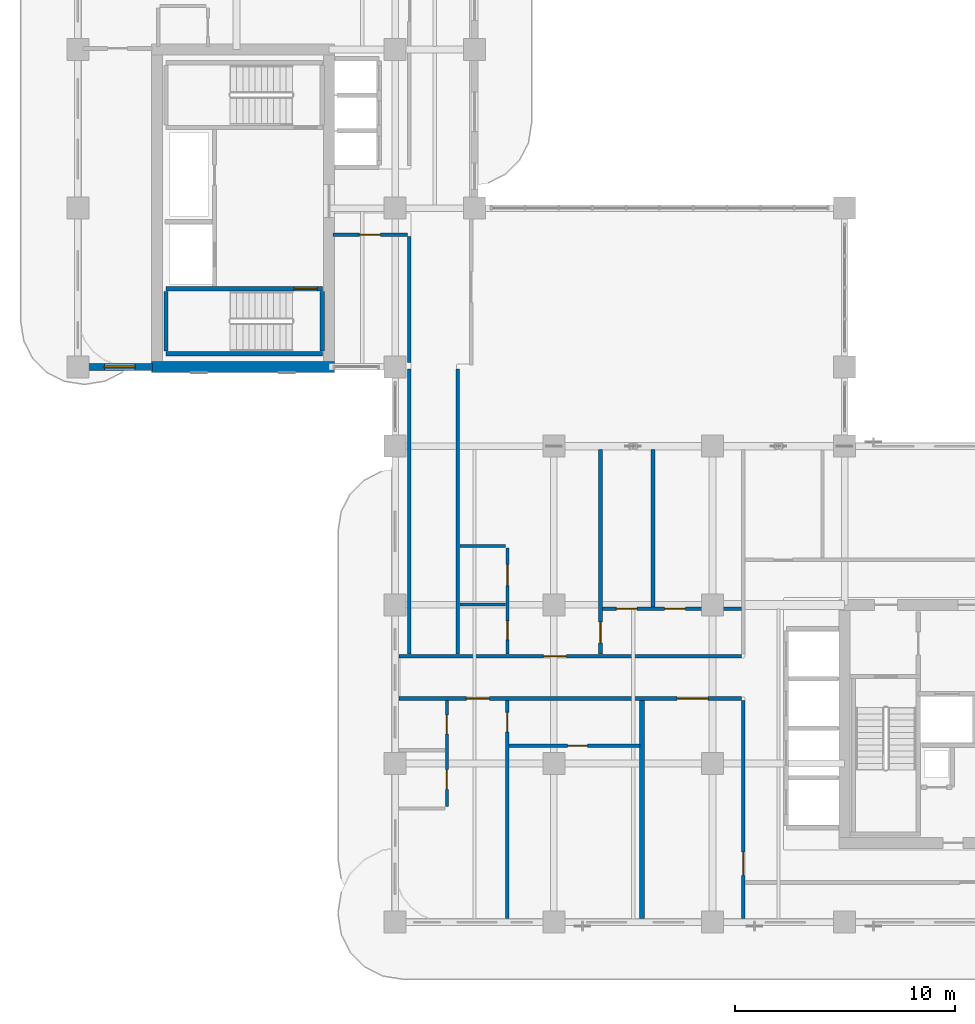
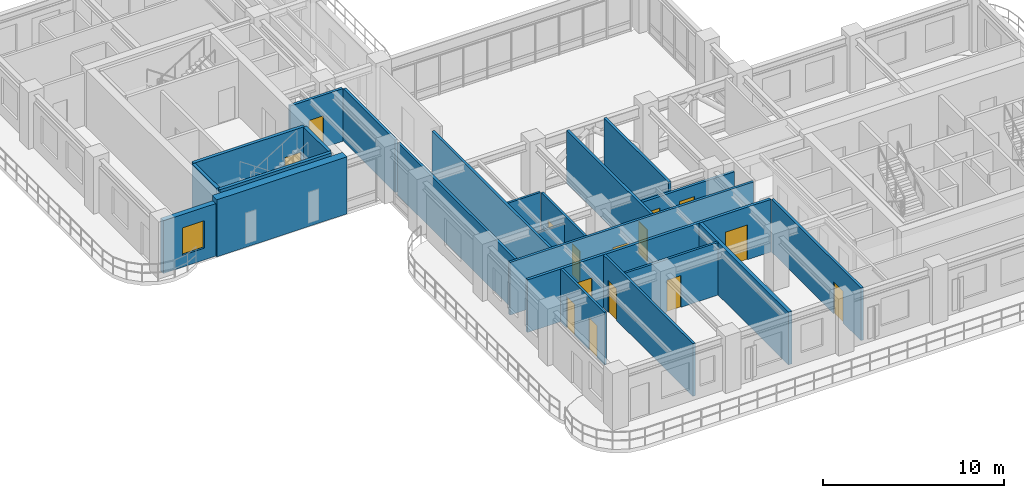
# One storey, part 9 of 17: 23 walls, 15 doors, 1 window, 16 openings.
"""IFC4 building model written with IfcOpenShell, lengths in metres."""

from ifc_helpers import new_model, si_unit, derived_unit, direction, frame, frame_2d, origin, place, context, subcontext, project, spatial, rectangle, extrude, source, transform, mapped, material, layer, layer_set, type_object, type_shapes, element, fill, save


model = new_model("IFC4")

# Units and contexts
model_context = context("Model", 3, precision=1e-05, world=origin(), true_north=direction((0.0, 1.0)))
body_context = subcontext(model_context, "Body", "Model", "MODEL_VIEW")
ifc_project = project(units=[si_unit("LENGTHUNIT", "METRE"), si_unit("AREAUNIT", "SQUARE_METRE"), si_unit("VOLUMEUNIT", "CUBIC_METRE"), si_unit("PLANEANGLEUNIT", "RADIAN"), si_unit("MASSUNIT", "GRAM", prefix="KILO"), si_unit("THERMODYNAMICTEMPERATUREUNIT", "KELVIN"), si_unit("POWERUNIT", "WATT"), derived_unit("THERMALTRANSMITTANCEUNIT", [(si_unit("POWERUNIT", "WATT"), 1), (si_unit("AREAUNIT", "SQUARE_METRE"), -1), (si_unit("THERMODYNAMICTEMPERATUREUNIT", "KELVIN"), -1)])], contexts=[model_context])

# Site, building, storey
site_placement = place(None, origin())
site = spatial("IfcSite", under=ifc_project, at=site_placement, CompositionType="ELEMENT")
building_placement = place(site_placement, origin())
building = spatial("IfcBuilding", under=site, at=building_placement, Name="Zahravan Archway Hotel and Residences", CompositionType="ELEMENT")
storey_placement = place(building_placement, frame((0.0, 0.0, 192.64990234375)))
storey = spatial("IfcBuildingStorey", under=building, at=storey_placement, Name="L48", CompositionType="ELEMENT", Elevation=192.64990234375)

# Wall
ifc_material_1 = material(Name="Concrete C60/75", Category="concrete")
ifc_layer_1 = layer(ifc_material_1, 0.5, Name="Concrete C60/75", Category="concrete")
ifc_layer_set_1 = layer_set([ifc_layer_1], Name="Concrete C60/75")
wall_type_1 = type_object("IfcWallType", Name="CW-CORE-500", PredefinedType="SHEAR", material=ifc_layer_set_1)
wall_1_placement = place(storey_placement, frame((3.35009765625, 25.199951171875, 0.0), z_axis=(0.0, 0.0, 1.0), x_axis=(1.0, 0.0, 0.0)))
element("IfcWall", 1, at=wall_1_placement, inside=storey, type_object=wall_type_1, Name="L48 Core B Shear S Wall 500 mm", PredefinedType="SHEAR", context=body_context, shape_type="SweptSolid", body=[
    extrude(rectangle(XDim=8.2998046875, YDim=0.5, at=frame_2d((4.14990234375, 0.0))), origin(), (0.0, 0.0, 1.0), 3.85009765625),
])

# Wall, opening, window
ifc_material_2 = material(Name="Agra Buff Sandstone & Insulated Backup", Category="masonry")
ifc_layer_2 = layer(ifc_material_2, 0.320068359375, Name="Agra Buff Sandstone & Insulated Backup", Category="masonry")
ifc_layer_set_2 = layer_set([ifc_layer_2], Name="Agra Buff Sandstone & Insulated Backup")
wall_type_2 = type_object("IfcWallType", Name="EW-SAND-320", PredefinedType="SOLIDWALL", material=ifc_layer_set_2)
wall_2_placement = place(storey_placement, frame((0.0, 25.199951171875, 0.0), z_axis=(0.0, 0.0, 1.0), x_axis=(1.0, 0.0, 0.0)))
wall_2 = element("IfcWall", 2, at=wall_2_placement, inside=storey, type_object=wall_type_2, Name="L48 Exterior Sandstone Wall WB-SW", PredefinedType="SOLIDWALL", context=body_context, shape_type="SweptSolid", body=[
    extrude(rectangle(XDim=3.3798828125, YDim=0.320068359375, at=frame_2d((1.68994140625, 0.0))), origin(), (0.0, 0.0, 1.0), 3.550048828125),
])
opening_1_placement = place(wall_2_placement, frame((1.205078125, 0.0, 0.800048828125)))
opening_1 = element("IfcOpeningElement", 3, at=opening_1_placement, cuts=wall_2, Name="Opening W-03", PredefinedType="OPENING", context=body_context, shape_type="SweptSolid", body=[
    extrude(rectangle(XDim=1.39990234375, YDim=1.85009765625, at=frame_2d((0.699951171875, 0.925048828125))), frame((0.0, 0.169921875, 0.0), z_axis=(0.0, -1.0, 0.0), x_axis=(1.0, 0.0, 0.0)), (0.0, 0.0, 1.0), 0.340087890625),
])
ifc_material_3 = material(Name="Bronze-Anodized Thermal-Break Aluminium & Low-E Glass", Category="aluminium")
window_type = type_object("IfcWindowType", Name="WIN-TWR-1400", PartitioningType="SINGLE_PANEL", PredefinedType="WINDOW", material=ifc_material_3)
shared_shape_1 = source(origin(), body_context, "Body", "SweptSolid", [
    extrude(rectangle(XDim=1.39990234375, YDim=1.85009765625, at=frame_2d((0.699951171875, 0.925048828125))), frame((0.0, 0.030029296875, 0.0), z_axis=(0.0, -1.0, 0.0), x_axis=(1.0, 0.0, 0.0)), (0.0, 0.0, 1.0), 0.06005859375),
])
type_shapes(window_type, [shared_shape_1])
window_placement = place(opening_1_placement, origin())
window = element("IfcWindow", 4, at=window_placement, inside=storey, type_object=window_type, Name="L48 Loggia Window 20", OverallHeight=1.85009765625, OverallWidth=1.39990234375, PartitioningType="SINGLE_PANEL", PredefinedType="WINDOW", context=body_context, shape_type="MappedRepresentation", body=[
    mapped(shared_shape_1, transform((0.0, 0.0, 0.0), scale=1.0)),
])
fill(opening_1, window)

# Wall
ifc_material_4 = material(Name="Fire-Rated Gypsum & Concrete Block", Category="concrete")
ifc_layer_3 = layer(ifc_material_4, 0.219970703125, Name="Fire-Rated Gypsum & Concrete Block", Category="concrete")
ifc_layer_set_3 = layer_set([ifc_layer_3], Name="Fire-Rated Gypsum & Concrete Block")
wall_type_3 = type_object("IfcWallType", Name="PW-COMP-220", PredefinedType="PARTITIONING", material=ifc_layer_set_3)
wall_3_placement = place(storey_placement, frame((25.60009765625, 0.16796875, 0.0), z_axis=(0.0, 0.0, 1.0), x_axis=(0.0, 1.0, 0.0)))
element("IfcWall", 5, at=wall_3_placement, inside=storey, type_object=wall_type_3, Name="L48 Partition WAS-R3", PredefinedType="PARTITIONING", context=body_context, shape_type="SweptSolid", body=[
    extrude(rectangle(XDim=9.89208984375, YDim=0.219970703125, at=frame_2d((4.946044921875, 0.0))), origin(), (0.0, 0.0, 1.0), 3.550048828125),
])

# Wall, opening, door
ifc_layer_4 = layer(ifc_material_4, 0.159912109375, Name="Fire-Rated Gypsum & Concrete Block", Category="concrete")
ifc_layer_set_4 = layer_set([ifc_layer_4], Name="Fire-Rated Gypsum & Concrete Block")
wall_type_4 = type_object("IfcWallType", Name="PW-CORR-160", PredefinedType="PARTITIONING", material=ifc_layer_set_4)
wall_4_placement = place(storey_placement, frame((14.568115234375, 12.070068359375, 0.0), z_axis=(0.0, 0.0, 1.0), x_axis=(1.0, 0.0, 0.0)))
wall_4 = element("IfcWall", 6, at=wall_4_placement, inside=storey, type_object=wall_type_4, Name="L48 Partition WA-CN", PredefinedType="PARTITIONING", context=body_context, shape_type="SweptSolid", body=[
    extrude(rectangle(XDim=15.5419921875, YDim=0.159912109375, at=frame_2d((7.77099609375, 0.0))), origin(), (0.0, 0.0, 1.0), 3.550048828125),
])
opening_2_placement = place(wall_4_placement, frame((6.556884765625, 0.0, 0.0)))
opening_2 = element("IfcOpeningElement", 7, at=opening_2_placement, cuts=wall_4, Name="Opening D-U1", PredefinedType="OPENING", context=body_context, shape_type="SweptSolid", body=[
    extrude(rectangle(XDim=1.050048828125, YDim=2.25, at=frame_2d((0.52490234375, 1.125))), frame((0.0, 0.08984375, 0.0), z_axis=(0.0, -1.0, 0.0), x_axis=(1.0, 0.0, 0.0)), (0.0, 0.0, 1.0), 0.179931640625),
])
ifc_material_5 = material(Name="Hardwood Veneer Timber", Category="wood")
door_type_1 = type_object("IfcDoorType", Name="ID-UNIT-1050", OperationType="NOTDEFINED", PredefinedType="DOOR", material=ifc_material_5)
shared_shape_2 = source(origin(), body_context, "Body", "SweptSolid", [
    extrude(rectangle(XDim=1.050048828125, YDim=2.25, at=frame_2d((0.52490234375, 1.125))), frame((0.0, 0.02490234375, 0.0), z_axis=(0.0, -1.0, 0.0), x_axis=(1.0, 0.0, 0.0)), (0.0, 0.0, 1.0), 0.050048828125),
])
type_shapes(door_type_1, [shared_shape_2])
door_1_placement = place(opening_2_placement, origin())
door_1 = element("IfcDoor", 8, at=door_1_placement, inside=storey, type_object=door_type_1, Name="L48 Flat HN1 Entrance Door", OperationType="SINGLE_SWING_RIGHT", OverallHeight=2.25, OverallWidth=1.050048828125, PredefinedType="DOOR", context=body_context, shape_type="MappedRepresentation", body=[
    mapped(shared_shape_2, transform((0.0, 0.0, 0.0), scale=1.0)),
])
fill(opening_2, door_1)

wall_5_placement = place(storey_placement, frame((30.199951171875, 0.16796875, 0.0), z_axis=(0.0, 0.0, 1.0), x_axis=(0.0, 1.0, 0.0)))
wall_5 = element("IfcWall", 9, at=wall_5_placement, inside=storey, type_object=wall_type_4, Name="L48 Partition WA-SRW", PredefinedType="PARTITIONING", context=body_context, shape_type="SweptSolid", body=[
    extrude(rectangle(XDim=9.89208984375, YDim=0.159912109375, at=frame_2d((4.946044921875, 0.0))), origin(), (0.0, 0.0, 1.0), 3.550048828125),
])
opening_3_placement = place(wall_5_placement, frame((1.95703125, 0.0, 0.0)))
opening_3 = element("IfcOpeningElement", 10, at=opening_3_placement, cuts=wall_5, Name="Opening FD-L2", PredefinedType="OPENING", context=body_context, shape_type="SweptSolid", body=[
    extrude(rectangle(XDim=1.050048828125, YDim=2.14990234375, at=frame_2d((0.52490234375, 1.074951171875))), frame((0.0, 0.08984375, 0.0), z_axis=(0.0, -1.0, 0.0), x_axis=(1.0, 0.0, 0.0)), (0.0, 0.0, 1.0), 0.179931640625),
])
ifc_material_6 = material(Name="Fire-Rated Painted Steel", Category="steel")
door_type_2 = type_object("IfcDoorType", Name="FD-LOBBY-1100", OperationType="NOTDEFINED", PredefinedType="DOOR", material=ifc_material_6)
shared_shape_3 = source(origin(), body_context, "Body", "SweptSolid", [
    extrude(rectangle(XDim=1.050048828125, YDim=2.14990234375, at=frame_2d((0.52490234375, 1.074951171875))), frame((0.0, 0.02490234375, 0.0), z_axis=(0.0, -1.0, 0.0), x_axis=(1.0, 0.0, 0.0)), (0.0, 0.0, 1.0), 0.050048828125),
])
type_shapes(door_type_2, [shared_shape_3])
door_2_placement = place(opening_3_placement, origin())
door_2 = element("IfcDoor", 11, at=door_2_placement, inside=storey, type_object=door_type_2, Name="L48 South Riser Corridor Door", OperationType="SINGLE_SWING_RIGHT", OverallHeight=2.14990234375, OverallWidth=1.050048828125, PredefinedType="DOOR", context=body_context, shape_type="MappedRepresentation", body=[
    mapped(shared_shape_3, transform((0.0, 0.0, 0.0), scale=1.0)),
])
fill(opening_3, door_2)

# Walls
for number, where, z_axis, x_axis, name in (
    (12, (15.050048828125, 12.159912109375, 0.0), (0.0, 0.0, 1.0), (0.0, 1.0, 0.0), "L48 Partition LNK-W"),
    (13, (17.25, 12.159912109375, 0.0), (0.0, 0.0, 1.0), (0.0, 1.0, 0.0), "L48 Partition LNK-E"),
):
    element("IfcWall", number, at=place(storey_placement, frame(where, z_axis=z_axis, x_axis=x_axis)), inside=storey, type_object=wall_type_4, Name=name, PredefinedType="PARTITIONING", context=body_context, shape_type="SweptSolid", body=[
        extrude(rectangle(XDim=12.9501953125, YDim=0.159912109375, at=frame_2d((6.47509765625, 0.0))), origin(), (0.0, 0.0, 1.0), 3.550048828125),
    ])
wall_6_placement = place(storey_placement, frame((15.050048828125, 25.389892578125, 0.0), z_axis=(0.0, 0.0, 1.0), x_axis=(0.0, 1.0, 0.0)))
element("IfcWall", 14, at=wall_6_placement, inside=storey, type_object=wall_type_4, Name="L48 Partition FB1-E", PredefinedType="PARTITIONING", context=body_context, shape_type="SweptSolid", body=[
    extrude(rectangle(XDim=5.72021484375, YDim=0.159912109375, at=frame_2d((2.860107421875, 0.0))), origin(), (0.0, 0.0, 1.0), 3.550048828125),
])

# Wall, openings, doors
ifc_layer_5 = layer(ifc_material_4, 0.179931640625, Name="Fire-Rated Gypsum & Concrete Block", Category="concrete")
ifc_layer_set_5 = layer_set([ifc_layer_5], Name="Fire-Rated Gypsum & Concrete Block")
wall_type_5 = type_object("IfcWallType", Name="PW-CORR-180", PredefinedType="PARTITIONING", material=ifc_layer_set_5)
wall_7_placement = place(storey_placement, frame((14.568115234375, 10.14990234375, 0.0), z_axis=(0.0, 0.0, 1.0), x_axis=(1.0, 0.0, 0.0)))
wall_7 = element("IfcWall", 15, at=wall_7_placement, inside=storey, type_object=wall_type_5, Name="L48 Partition WA-CS", PredefinedType="PARTITIONING", context=body_context, shape_type="SweptSolid", body=[
    extrude(rectangle(XDim=15.5419921875, YDim=0.179931640625, at=frame_2d((7.77099609375, 0.0))), origin(), (0.0, 0.0, 1.0), 3.550048828125),
])
opening_4_placement = place(wall_7_placement, frame((3.06201171875, 0.0, 0.0)))
opening_4 = element("IfcOpeningElement", 16, at=opening_4_placement, cuts=wall_7, Name="Opening D-U1", PredefinedType="OPENING", context=body_context, shape_type="SweptSolid", body=[
    extrude(rectangle(XDim=1.050048828125, YDim=2.25, at=frame_2d((0.52490234375, 1.125))), frame((0.0, 0.10009765625, 0.0), z_axis=(0.0, -1.0, 0.0), x_axis=(1.0, 0.0, 0.0)), (0.0, 0.0, 1.0), 0.199951171875),
])
opening_5_placement = place(wall_7_placement, frame((12.632080078125, 0.0, 0.0)))
opening_5 = element("IfcOpeningElement", 17, at=opening_5_placement, cuts=wall_7, Name="Opening D-P1", PredefinedType="OPENING", context=body_context, shape_type="SweptSolid", body=[
    extrude(rectangle(XDim=1.39990234375, YDim=2.35009765625, at=frame_2d((0.699951171875, 1.175048828125))), frame((0.0, 0.10009765625, 0.0), z_axis=(0.0, -1.0, 0.0), x_axis=(1.0, 0.0, 0.0)), (0.0, 0.0, 1.0), 0.199951171875),
])
ifc_material_7 = material(Name="Bronze-Anodized Glazed Aluminium", Category="aluminium")
door_type_3 = type_object("IfcDoorType", Name="ID-PUBLIC-1400", OperationType="DOUBLE_DOOR_SINGLE_SWING", PredefinedType="DOOR", material=ifc_material_7)
shared_shape_4 = source(origin(), body_context, "Body", "SweptSolid", [
    extrude(rectangle(XDim=1.39990234375, YDim=2.35009765625, at=frame_2d((0.699951171875, 1.175048828125))), frame((0.0, 0.02490234375, 0.0), z_axis=(0.0, -1.0, 0.0), x_axis=(1.0, 0.0, 0.0)), (0.0, 0.0, 1.0), 0.050048828125),
])
type_shapes(door_type_3, [shared_shape_4])
door_3_placement = place(opening_5_placement, origin())
door_3 = element("IfcDoor", 18, at=door_3_placement, inside=storey, type_object=door_type_3, Name="L48 South Yoga Salon Door", OperationType="DOUBLE_DOOR_SINGLE_SWING", OverallHeight=2.35009765625, OverallWidth=1.39990234375, PredefinedType="DOOR", context=body_context, shape_type="MappedRepresentation", body=[
    mapped(shared_shape_4, transform((0.0, 0.0, 0.0), scale=1.0)),
])
fill(opening_5, door_3)
door_4_placement = place(opening_4_placement, origin())
door_4 = element("IfcDoor", 19, at=door_4_placement, inside=storey, type_object=door_type_1, Name="L48 Flat S1 Entrance Door", OperationType="SINGLE_SWING_LEFT", OverallHeight=2.25, OverallWidth=1.050048828125, PredefinedType="DOOR", context=body_context, shape_type="MappedRepresentation", body=[
    mapped(shared_shape_2, transform((0.0, 0.0, 0.0), scale=1.0)),
])
fill(opening_4, door_4)

# Wall, opening, door
ifc_material_8 = material(Name="Acoustic Stud Partition")
ifc_layer_6 = layer(ifc_material_8, 0.14990234375, Name="Acoustic Stud Partition")
ifc_layer_set_6 = layer_set([ifc_layer_6], Name="Acoustic Stud Partition")
wall_type_6 = type_object("IfcWallType", Name="PW-UNIT-150", PredefinedType="PARTITIONING", material=ifc_layer_set_6)
wall_8_placement = place(storey_placement, frame((19.47998046875, 0.16796875, 0.0), z_axis=(0.0, 0.0, 1.0), x_axis=(0.0, 1.0, 0.0)))
wall_8 = element("IfcWall", 20, at=wall_8_placement, inside=storey, type_object=wall_type_6, Name="L48 Partition FL-S1-SP", PredefinedType="PARTITIONING", context=body_context, shape_type="SweptSolid", body=[
    extrude(rectangle(XDim=9.89208984375, YDim=0.14990234375, at=frame_2d((4.946044921875, 0.0))), origin(), (0.0, 0.0, 1.0), 3.550048828125),
])
opening_6_placement = place(wall_8_placement, frame((8.45703125, 0.0, 0.0)))
opening_6 = element("IfcOpeningElement", 21, at=opening_6_placement, cuts=wall_8, Name="Opening D-I2", PredefinedType="OPENING", context=body_context, shape_type="SweptSolid", body=[
    extrude(rectangle(XDim=0.89990234375, YDim=2.14990234375, at=frame_2d((0.449951171875, 1.074951171875))), frame((0.0, 0.0849609375, 0.0), z_axis=(0.0, -1.0, 0.0), x_axis=(1.0, 0.0, 0.0)), (0.0, 0.0, 1.0), 0.169921875),
])
door_type_4 = type_object("IfcDoorType", Name="ID-INT-900", OperationType="NOTDEFINED", PredefinedType="DOOR", material=ifc_material_5)
shared_shape_5 = source(origin(), body_context, "Body", "SweptSolid", [
    extrude(rectangle(XDim=0.89990234375, YDim=2.14990234375, at=frame_2d((0.449951171875, 1.074951171875))), frame((0.0, 0.02490234375, 0.0), z_axis=(0.0, -1.0, 0.0), x_axis=(1.0, 0.0, 0.0)), (0.0, 0.0, 1.0), 0.050048828125),
])
type_shapes(door_type_4, [shared_shape_5])
door_5_placement = place(opening_6_placement, origin())
door_5 = element("IfcDoor", 22, at=door_5_placement, inside=storey, type_object=door_type_4, Name="L48 Flat S1 Bedroom Hall Door", OperationType="SINGLE_SWING_RIGHT", OverallHeight=2.14990234375, OverallWidth=0.89990234375, PredefinedType="DOOR", context=body_context, shape_type="MappedRepresentation", body=[
    mapped(shared_shape_5, transform((0.0, 0.0, 0.0), scale=1.0)),
])
fill(opening_6, door_5)

wall_9_placement = place(storey_placement, frame((19.570068359375, 8.0, 0.0), z_axis=(0.0, 0.0, 1.0), x_axis=(1.0, 0.0, 0.0)))
wall_9 = element("IfcWall", 23, at=wall_9_placement, inside=storey, type_object=wall_type_6, Name="L48 Partition FL-S1-GH", PredefinedType="PARTITIONING", context=body_context, shape_type="SweptSolid", body=[
    extrude(rectangle(XDim=5.93994140625, YDim=0.14990234375, at=frame_2d((2.969970703125, 0.0))), origin(), (0.0, 0.0, 1.0), 3.550048828125),
])
opening_7_placement = place(wall_9_placement, frame((2.65869140625, 0.0, 0.0)))
opening_7 = element("IfcOpeningElement", 24, at=opening_7_placement, cuts=wall_9, Name="Opening D-I2", PredefinedType="OPENING", context=body_context, shape_type="SweptSolid", body=[
    extrude(rectangle(XDim=0.89990234375, YDim=2.14990234375, at=frame_2d((0.449951171875, 1.074951171875))), frame((0.0, 0.0849609375, 0.0), z_axis=(0.0, -1.0, 0.0), x_axis=(1.0, 0.0, 0.0)), (0.0, 0.0, 1.0), 0.169921875),
])
door_6_placement = place(opening_7_placement, origin())
door_6 = element("IfcDoor", 25, at=door_6_placement, inside=storey, type_object=door_type_4, Name="L48 Flat S1 Bedroom 1 Door", OperationType="SINGLE_SWING_RIGHT", OverallHeight=2.14990234375, OverallWidth=0.89990234375, PredefinedType="DOOR", context=body_context, shape_type="MappedRepresentation", body=[
    mapped(shared_shape_5, transform((0.0, 0.0, 0.0), scale=1.0)),
])
fill(opening_7, door_6)

ifc_layer_7 = layer(ifc_material_8, 0.169921875, Name="Acoustic Stud Partition")
ifc_layer_set_7 = layer_set([ifc_layer_7], Name="Acoustic Stud Partition")
wall_type_7 = type_object("IfcWallType", Name="PW-UNIT-170", PredefinedType="PARTITIONING", material=ifc_layer_set_7)
wall_10_placement = place(storey_placement, frame((11.590087890625, 31.199951171875, 0.0), z_axis=(0.0, 0.0, 1.0), x_axis=(1.0, 0.0, 0.0)))
wall_10 = element("IfcWall", 26, at=wall_10_placement, inside=storey, type_object=wall_type_7, Name="L48 Partition FB1-N", PredefinedType="PARTITIONING", context=body_context, shape_type="SweptSolid", body=[
    extrude(rectangle(XDim=3.369873046875, YDim=0.169921875, at=frame_2d((1.68505859375, 0.0))), origin(), (0.0, 0.0, 1.0), 3.550048828125),
])
opening_8_placement = place(wall_10_placement, frame((1.18505859375, 0.0, 0.0)))
opening_8 = element("IfcOpeningElement", 27, at=opening_8_placement, cuts=wall_10, Name="Opening D-I1", PredefinedType="OPENING", context=body_context, shape_type="SweptSolid", body=[
    extrude(rectangle(XDim=0.949951171875, YDim=2.14990234375, at=frame_2d((0.47509765625, 1.074951171875))), frame((0.0, 0.094970703125, 0.0), z_axis=(0.0, -1.0, 0.0), x_axis=(1.0, 0.0, 0.0)), (0.0, 0.0, 1.0), 0.18994140625),
])
door_type_5 = type_object("IfcDoorType", Name="ID-INT-950", OperationType="NOTDEFINED", PredefinedType="DOOR", material=ifc_material_5)
shared_shape_6 = source(origin(), body_context, "Body", "SweptSolid", [
    extrude(rectangle(XDim=0.949951171875, YDim=2.14990234375, at=frame_2d((0.47509765625, 1.074951171875))), frame((0.0, 0.02490234375, 0.0), z_axis=(0.0, -1.0, 0.0), x_axis=(1.0, 0.0, 0.0)), (0.0, 0.0, 1.0), 0.050048828125),
])
type_shapes(door_type_5, [shared_shape_6])
door_7_placement = place(opening_8_placement, origin())
door_7 = element("IfcDoor", 28, at=door_7_placement, inside=storey, type_object=door_type_5, Name="L48 Freed Bank 1 Reading Salon Door", OperationType="SINGLE_SWING_LEFT", OverallHeight=2.14990234375, OverallWidth=0.949951171875, PredefinedType="DOOR", context=body_context, shape_type="MappedRepresentation", body=[
    mapped(shared_shape_6, transform((0.0, 0.0, 0.0), scale=1.0)),
])
fill(opening_8, door_7)

wall_11_placement = place(storey_placement, frame((23.719970703125, 12.159912109375, 0.0), z_axis=(0.0, 0.0, 1.0), x_axis=(0.0, 1.0, 0.0)))
wall_11 = element("IfcWall", 29, at=wall_11_placement, inside=storey, type_object=wall_type_7, Name="L48 Partition FL-HN1-SP", PredefinedType="PARTITIONING", context=body_context, shape_type="SweptSolid", body=[
    extrude(rectangle(XDim=9.300048828125, YDim=0.169921875, at=frame_2d((4.64990234375, 0.0))), origin(), (0.0, 0.0, 1.0), 3.550048828125),
])
opening_9_placement = place(wall_11_placement, frame((0.510009765625, 0.0, 0.0)))
opening_9 = element("IfcOpeningElement", 30, at=opening_9_placement, cuts=wall_11, Name="Opening D-I1", PredefinedType="OPENING", context=body_context, shape_type="SweptSolid", body=[
    extrude(rectangle(XDim=0.949951171875, YDim=2.14990234375, at=frame_2d((0.47509765625, 1.074951171875))), frame((0.0, 0.094970703125, 0.0), z_axis=(0.0, -1.0, 0.0), x_axis=(1.0, 0.0, 0.0)), (0.0, 0.0, 1.0), 0.18994140625),
])
door_8_placement = place(opening_9_placement, origin())
door_8 = element("IfcDoor", 31, at=door_8_placement, inside=storey, type_object=door_type_5, Name="L48 Flat HN1 Bedroom Hall Door", OperationType="SINGLE_SWING_LEFT", OverallHeight=2.14990234375, OverallWidth=0.949951171875, PredefinedType="DOOR", context=body_context, shape_type="MappedRepresentation", body=[
    mapped(shared_shape_6, transform((0.0, 0.0, 0.0), scale=1.0)),
])
fill(opening_9, door_8)

# Wall, openings, doors
wall_12_placement = place(storey_placement, frame((23.81005859375, 14.219970703125, 0.0), z_axis=(0.0, 0.0, 1.0), x_axis=(1.0, 0.0, 0.0)))
wall_12 = element("IfcWall", 32, at=wall_12_placement, inside=storey, type_object=wall_type_7, Name="L48 Partition FL-HN1-GH", PredefinedType="PARTITIONING", context=body_context, shape_type="SweptSolid", body=[
    extrude(rectangle(XDim=6.300048828125, YDim=0.169921875, at=frame_2d((3.14990234375, 0.0))), origin(), (0.0, 0.0, 1.0), 2.93505859375),
])
opening_10_placement = place(wall_12_placement, frame((0.625, 0.0, 0.0)))
opening_10 = element("IfcOpeningElement", 33, at=opening_10_placement, cuts=wall_12, Name="Opening D-I1", PredefinedType="OPENING", context=body_context, shape_type="SweptSolid", body=[
    extrude(rectangle(XDim=0.949951171875, YDim=2.14990234375, at=frame_2d((0.47509765625, 1.074951171875))), frame((0.0, 0.094970703125, 0.0), z_axis=(0.0, -1.0, 0.0), x_axis=(1.0, 0.0, 0.0)), (0.0, 0.0, 1.0), 0.18994140625),
])
opening_11_placement = place(wall_12_placement, frame((2.81494140625, 0.0, 0.0)))
opening_11 = element("IfcOpeningElement", 34, at=opening_11_placement, cuts=wall_12, Name="Opening D-I1", PredefinedType="OPENING", context=body_context, shape_type="SweptSolid", body=[
    extrude(rectangle(XDim=0.949951171875, YDim=2.14990234375, at=frame_2d((0.47509765625, 1.074951171875))), frame((0.0, 0.094970703125, 0.0), z_axis=(0.0, -1.0, 0.0), x_axis=(1.0, 0.0, 0.0)), (0.0, 0.0, 1.0), 0.18994140625),
])
door_9_placement = place(opening_10_placement, origin())
door_9 = element("IfcDoor", 35, at=door_9_placement, inside=storey, type_object=door_type_5, Name="L48 Flat HN1 Bedroom 1 Door", OperationType="SINGLE_SWING_RIGHT", OverallHeight=2.14990234375, OverallWidth=0.949951171875, PredefinedType="DOOR", context=body_context, shape_type="MappedRepresentation", body=[
    mapped(shared_shape_6, transform((0.0, 0.0, 0.0), scale=1.0)),
])
fill(opening_10, door_9)
door_10_placement = place(opening_11_placement, origin())
door_10 = element("IfcDoor", 36, at=door_10_placement, inside=storey, type_object=door_type_5, Name="L48 Flat HN1 Bedroom 2 Door", OperationType="SINGLE_SWING_LEFT", OverallHeight=2.14990234375, OverallWidth=0.949951171875, PredefinedType="DOOR", context=body_context, shape_type="MappedRepresentation", body=[
    mapped(shared_shape_6, transform((0.0, 0.0, 0.0), scale=1.0)),
])
fill(opening_11, door_10)

# Wall
wall_13_placement = place(storey_placement, frame((26.10009765625, 14.31005859375, 0.0), z_axis=(0.0, 0.0, 1.0), x_axis=(0.0, 1.0, 0.0)))
element("IfcWall", 37, at=wall_13_placement, inside=storey, type_object=wall_type_7, Name="L48 Partition FL-HN1-BD1", PredefinedType="PARTITIONING", context=body_context, shape_type="SweptSolid", body=[
    extrude(rectangle(XDim=7.14990234375, YDim=0.169921875, at=frame_2d((3.574951171875, 0.0))), origin(), (0.0, 0.0, 1.0), 3.550048828125),
])

# Wall, openings, doors
ifc_material_9 = material(Name="Moisture-Resistant Blockwork", Category="masonry")
ifc_layer_8 = layer(ifc_material_9, 0.139892578125, Name="Moisture-Resistant Blockwork", Category="masonry")
ifc_layer_set_8 = layer_set([ifc_layer_8], Name="Moisture-Resistant Blockwork")
wall_type_8 = type_object("IfcWallType", Name="PW-WET-140", PredefinedType="PARTITIONING", material=ifc_layer_set_8)
wall_14_placement = place(storey_placement, frame((16.75, 5.239990234375, 0.0), z_axis=(0.0, 0.0, 1.0), x_axis=(0.0, 1.0, 0.0)))
wall_14 = element("IfcWall", 38, at=wall_14_placement, inside=storey, type_object=wall_type_8, Name="L48 Partition FL-S1-BV", PredefinedType="PARTITIONING", context=body_context, shape_type="SweptSolid", body=[
    extrude(rectangle(XDim=4.820068359375, YDim=0.139892578125, at=frame_2d((2.41015625, 0.0))), origin(), (0.0, 0.0, 1.0), 3.550048828125),
])
opening_12_placement = place(wall_14_placement, frame((0.784912109375, 0.0, 0.0)))
opening_12 = element("IfcOpeningElement", 39, at=opening_12_placement, cuts=wall_14, Name="Opening D-I2", PredefinedType="OPENING", context=body_context, shape_type="SweptSolid", body=[
    extrude(rectangle(XDim=0.89990234375, YDim=2.14990234375, at=frame_2d((0.449951171875, 1.074951171875))), frame((0.0, 0.080078125, 0.0), z_axis=(0.0, -1.0, 0.0), x_axis=(1.0, 0.0, 0.0)), (0.0, 0.0, 1.0), 0.159912109375),
])
opening_13_placement = place(wall_14_placement, frame((3.31005859375, 0.0, 0.0)))
opening_13 = element("IfcOpeningElement", 40, at=opening_13_placement, cuts=wall_14, Name="Opening D-B1", PredefinedType="OPENING", context=body_context, shape_type="SweptSolid", body=[
    extrude(rectangle(XDim=0.85009765625, YDim=2.10009765625, at=frame_2d((0.425048828125, 1.050048828125))), frame((0.0, 0.080078125, 0.0), z_axis=(0.0, -1.0, 0.0), x_axis=(1.0, 0.0, 0.0)), (0.0, 0.0, 1.0), 0.159912109375),
])
door_type_6 = type_object("IfcDoorType", Name="ID-BATH-850", OperationType="NOTDEFINED", PredefinedType="DOOR", material=ifc_material_5)
shared_shape_7 = source(origin(), body_context, "Body", "SweptSolid", [
    extrude(rectangle(XDim=0.85009765625, YDim=2.10009765625, at=frame_2d((0.425048828125, 1.050048828125))), frame((0.0, 0.02490234375, 0.0), z_axis=(0.0, -1.0, 0.0), x_axis=(1.0, 0.0, 0.0)), (0.0, 0.0, 1.0), 0.050048828125),
])
type_shapes(door_type_6, [shared_shape_7])
door_11_placement = place(opening_13_placement, origin())
door_11 = element("IfcDoor", 41, at=door_11_placement, inside=storey, type_object=door_type_6, Name="L48 Flat S1 Bathroom Door", OperationType="SINGLE_SWING_RIGHT", OverallHeight=2.10009765625, OverallWidth=0.85009765625, PredefinedType="DOOR", context=body_context, shape_type="MappedRepresentation", body=[
    mapped(shared_shape_7, transform((0.0, 0.0, 0.0), scale=1.0)),
])
fill(opening_13, door_11)
door_12_placement = place(opening_12_placement, origin())
door_12 = element("IfcDoor", 42, at=door_12_placement, inside=storey, type_object=door_type_4, Name="L48 Flat S1 Kitchen Door", OperationType="SINGLE_SWING_LEFT", OverallHeight=2.14990234375, OverallWidth=0.89990234375, PredefinedType="DOOR", context=body_context, shape_type="MappedRepresentation", body=[
    mapped(shared_shape_5, transform((0.0, 0.0, 0.0), scale=1.0)),
])
fill(opening_12, door_12)

wall_15_placement = place(storey_placement, frame((19.5, 12.159912109375, 0.0), z_axis=(0.0, 0.0, 1.0), x_axis=(0.0, 1.0, 0.0)))
wall_15 = element("IfcWall", 43, at=wall_15_placement, inside=storey, type_object=wall_type_8, Name="L48 Partition FL-HN1-BV", PredefinedType="PARTITIONING", context=body_context, shape_type="SweptSolid", body=[
    extrude(rectangle(XDim=4.820068359375, YDim=0.139892578125, at=frame_2d((2.41015625, 0.0))), origin(), (0.0, 0.0, 1.0), 3.550048828125),
])
opening_14_placement = place(wall_15_placement, frame((0.659912109375, 0.0, 0.0)))
opening_14 = element("IfcOpeningElement", 44, at=opening_14_placement, cuts=wall_15, Name="Opening D-B1", PredefinedType="OPENING", context=body_context, shape_type="SweptSolid", body=[
    extrude(rectangle(XDim=0.85009765625, YDim=2.10009765625, at=frame_2d((0.425048828125, 1.050048828125))), frame((0.0, 0.080078125, 0.0), z_axis=(0.0, -1.0, 0.0), x_axis=(1.0, 0.0, 0.0)), (0.0, 0.0, 1.0), 0.159912109375),
])
opening_15_placement = place(wall_15_placement, frame((3.110107421875, 0.0, 0.0)))
opening_15 = element("IfcOpeningElement", 45, at=opening_15_placement, cuts=wall_15, Name="Opening D-I1", PredefinedType="OPENING", context=body_context, shape_type="SweptSolid", body=[
    extrude(rectangle(XDim=0.949951171875, YDim=2.14990234375, at=frame_2d((0.47509765625, 1.074951171875))), frame((0.0, 0.080078125, 0.0), z_axis=(0.0, -1.0, 0.0), x_axis=(1.0, 0.0, 0.0)), (0.0, 0.0, 1.0), 0.159912109375),
])
door_13_placement = place(opening_14_placement, origin())
door_13 = element("IfcDoor", 46, at=door_13_placement, inside=storey, type_object=door_type_6, Name="L48 Flat HN1 Bathroom Door", OperationType="SINGLE_SWING_RIGHT", OverallHeight=2.10009765625, OverallWidth=0.85009765625, PredefinedType="DOOR", context=body_context, shape_type="MappedRepresentation", body=[
    mapped(shared_shape_7, transform((0.0, 0.0, 0.0), scale=1.0)),
])
fill(opening_14, door_13)
door_14_placement = place(opening_15_placement, origin())
door_14 = element("IfcDoor", 47, at=door_14_placement, inside=storey, type_object=door_type_5, Name="L48 Flat HN1 Kitchen Door", OperationType="SINGLE_SWING_LEFT", OverallHeight=2.14990234375, OverallWidth=0.949951171875, PredefinedType="DOOR", context=body_context, shape_type="MappedRepresentation", body=[
    mapped(shared_shape_6, transform((0.0, 0.0, 0.0), scale=1.0)),
])
fill(opening_15, door_14)

# Walls
wall_16_placement = place(storey_placement, frame((17.340087890625, 14.419921875, 0.0), z_axis=(0.0, 0.0, 1.0), x_axis=(1.0, 0.0, 0.0)))
element("IfcWall", 48, at=wall_16_placement, inside=storey, type_object=wall_type_8, Name="L48 Partition FL-HN1-BM", PredefinedType="PARTITIONING", context=body_context, shape_type="SweptSolid", body=[
    extrude(rectangle(XDim=2.06982421875, YDim=0.139892578125, at=frame_2d((1.034912109375, 0.0))), origin(), (0.0, 0.0, 1.0), 3.03515625),
])
wall_17_placement = place(storey_placement, frame((17.340087890625, 17.070068359375, 0.0), z_axis=(0.0, 0.0, 1.0), x_axis=(1.0, 0.0, 0.0)))
element("IfcWall", 49, at=wall_17_placement, inside=storey, type_object=wall_type_8, Name="L48 Partition FL-HN1-KH", PredefinedType="PARTITIONING", context=body_context, shape_type="SweptSolid", body=[
    extrude(rectangle(XDim=2.06982421875, YDim=0.139892578125, at=frame_2d((1.034912109375, 0.0))), origin(), (0.0, 0.0, 1.0), 3.550048828125),
])
ifc_material_10 = material(Name="Concrete C50/60", Category="concrete")
ifc_layer_9 = layer(ifc_material_10, 0.199951171875, Name="Concrete C50/60", Category="concrete")
ifc_layer_set_9 = layer_set([ifc_layer_9], Name="Concrete C50/60")
wall_type_9 = type_object("IfcWallType", Name="SW-STAIR-200", PredefinedType="SHEAR", material=ifc_layer_set_9)
wall_18_placement = place(storey_placement, frame((4.0, 25.800048828125, 0.0), z_axis=(0.0, 0.0, 1.0), x_axis=(1.0, 0.0, 0.0)))
element("IfcWall", 50, at=wall_18_placement, inside=storey, type_object=wall_type_9, Name="L48 Stairwell RC Wall CB-SB1S", PredefinedType="SHEAR", context=body_context, shape_type="SweptSolid", body=[
    extrude(rectangle(XDim=7.10009765625, YDim=0.199951171875, at=frame_2d((3.550048828125, 0.0))), origin(), (0.0, 0.0, 1.0), 3.85009765625),
])
for number, where, z_axis, x_axis, name in (
    (51, (4.0, 25.919921875, 0.0), (0.0, 0.0, 1.0), (0.0, 1.0, 0.0), "L48 Stairwell RC Wall CB-SB1W"),
    (52, (11.10009765625, 25.919921875, 0.0), (0.0, 0.0, 1.0), (0.0, 1.0, 0.0), "L48 Stairwell RC Wall CB-SB1E"),
):
    element("IfcWall", number, at=place(storey_placement, frame(where, z_axis=z_axis, x_axis=x_axis)), inside=storey, type_object=wall_type_9, Name=name, PredefinedType="SHEAR", context=body_context, shape_type="SweptSolid", body=[
        extrude(rectangle(XDim=2.7001953125, YDim=0.199951171875, at=frame_2d((1.35009765625, 0.0))), origin(), (0.0, 0.0, 1.0), 3.85009765625),
    ])

# Wall, opening, door
wall_19_placement = place(storey_placement, frame((4.0, 28.739990234375, 0.0), z_axis=(0.0, 0.0, 1.0), x_axis=(1.0, 0.0, 0.0)))
wall_19 = element("IfcWall", 53, at=wall_19_placement, inside=storey, type_object=wall_type_9, Name="L48 Stairwell RC Wall CB-SB1N", PredefinedType="SHEAR", context=body_context, shape_type="SweptSolid", body=[
    extrude(rectangle(XDim=7.10009765625, YDim=0.199951171875, at=frame_2d((3.550048828125, 0.0))), origin(), (0.0, 0.0, 1.0), 3.85009765625),
])
opening_16_placement = place(wall_19_placement, frame((5.81494140625, 0.0, 0.0)))
opening_16 = element("IfcOpeningElement", 54, at=opening_16_placement, cuts=wall_19, Name="Opening FD-S1", PredefinedType="OPENING", context=body_context, shape_type="SweptSolid", body=[
    extrude(rectangle(XDim=1.050048828125, YDim=2.199951171875, at=frame_2d((0.52490234375, 1.10009765625))), frame((0.0, 0.10986328125, 0.0), z_axis=(0.0, -1.0, 0.0), x_axis=(1.0, 0.0, 0.0)), (0.0, 0.0, 1.0), 0.219970703125),
])
door_type_7 = type_object("IfcDoorType", Name="FD-STAIR-1100", OperationType="NOTDEFINED", PredefinedType="DOOR", material=ifc_material_6)
shared_shape_8 = source(origin(), body_context, "Body", "SweptSolid", [
    extrude(rectangle(XDim=1.050048828125, YDim=2.199951171875, at=frame_2d((0.52490234375, 1.10009765625))), frame((0.0, 0.02490234375, 0.0), z_axis=(0.0, -1.0, 0.0), x_axis=(1.0, 0.0, 0.0)), (0.0, 0.0, 1.0), 0.050048828125),
])
type_shapes(door_type_7, [shared_shape_8])
door_15_placement = place(opening_16_placement, origin())
door_15 = element("IfcDoor", 55, at=door_15_placement, inside=storey, type_object=door_type_7, Name="L48 Stair ST-B1 Door", OperationType="SINGLE_SWING_LEFT", OverallHeight=2.199951171875, OverallWidth=1.050048828125, PredefinedType="DOOR", context=body_context, shape_type="MappedRepresentation", body=[
    mapped(shared_shape_8, transform((0.0, 0.0, 0.0), scale=1.0)),
])
fill(opening_16, door_15)

save(model, "model.ifc")
